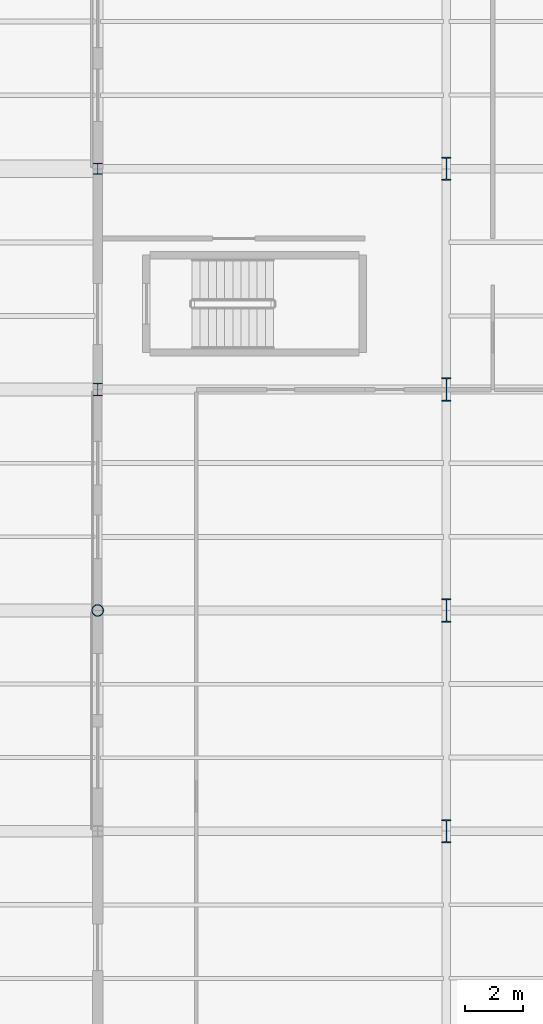
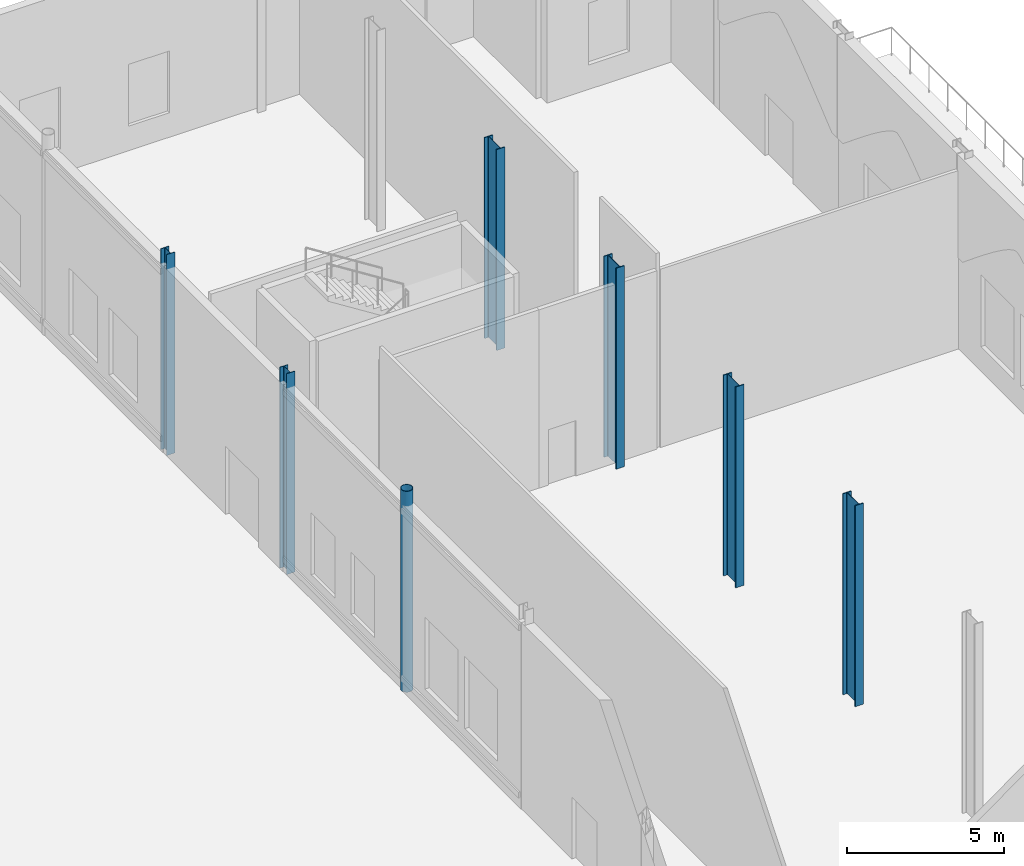
# One storey, part 21 of 176: 7 columns.
"""IFC4 building model written with IfcOpenShell, lengths in metres."""

import ifcopenshell
import ifcopenshell.guid

model = None  # the IFC model being written
_history = None  # IfcOwnerHistory: only IFC2X3 demands one
_inside = {}  # id of a spatial element -> (the spatial element, [elements in it])
_under = {}  # id of a project, library or spatial element -> (it, [spatial elements below it])
_declared = {}  # id of a project -> (the project, [libraries it declares])
_typed = {}  # id of a type object -> (the type object, [elements of that type])
_made_of = {}  # id of a material, layer set ... -> (it, [elements and type objects made of it])


def new_model(schema):
    """Start an empty IFC model of exactly this schema.

    Asked for "IFC4X3", IfcOpenShell would pick the latest addendum, in which some entities
    have other attributes; the version numbers below select the first issue.
    IFC2X3 requires an IfcOwnerHistory on every rooted entity: one is made here for all.
    """
    global model, _history
    if schema == "IFC4X3":
        model = ifcopenshell.file(schema_version=(4, 3, 0, 0))
    else:
        model = ifcopenshell.file(schema=schema)
    _inside.clear()
    _under.clear()
    _declared.clear()
    _typed.clear()
    _made_of.clear()
    _history = None
    if model.schema == "IFC2X3":
        org = make("IfcOrganization", Name="unknown")
        user = make(
            "IfcPersonAndOrganization",
            ThePerson=make("IfcPerson", FamilyName="unknown"),
            TheOrganization=org,
        )
        app = make(
            "IfcApplication",
            ApplicationDeveloper=org,
            Version="unknown",
            ApplicationFullName="unknown",
            ApplicationIdentifier="unknown",
        )
        _history = make(
            "IfcOwnerHistory",
            OwningUser=user,
            OwningApplication=app,
            ChangeAction="ADDED",
            CreationDate=0,
        )
    return model


def make(cls, **values):
    """One entity of the class cls with the attributes given. An attribute that is None is left unset."""
    return model.create_entity(
        cls, **{name: value for name, value in values.items() if value is not None}
    )


def rooted(cls, **values):
    """An entity with a GlobalId (a new one), such as an element, a storey or a relation."""
    return make(cls, GlobalId=ifcopenshell.guid.new(), OwnerHistory=_history, **values)


def si_unit(unit_type, name, prefix=None):
    """IfcSIUnit, for example si_unit("LENGTHUNIT", "METRE", prefix="MILLI")."""
    return make("IfcSIUnit", UnitType=unit_type, Prefix=prefix, Name=name)


def assignment(units):
    """IfcUnitAssignment: the units of a project."""
    return None if units is None else make("IfcUnitAssignment", Units=units)


def point(xyz):
    """IfcCartesianPoint."""
    return None if xyz is None else make("IfcCartesianPoint", Coordinates=xyz)


def direction(xyz):
    """IfcDirection."""
    return None if xyz is None else make("IfcDirection", DirectionRatios=xyz)


def frame(location, z_axis=None, x_axis=None):
    """IfcAxis2Placement3D, a coordinate frame: its origin and axes. An axis left out is left unset."""
    return make(
        "IfcAxis2Placement3D",
        Location=point(location),
        Axis=direction(z_axis),
        RefDirection=direction(x_axis),
    )


def frame_2d(location, x_axis=None):
    """IfcAxis2Placement2D, a coordinate frame in the plane: its origin and x axis."""
    return make(
        "IfcAxis2Placement2D", Location=point(location), RefDirection=direction(x_axis)
    )


def origin():
    """The frame at (0, 0, 0) with its axes left unset."""
    return frame((0.0, 0.0, 0.0))


def origin_2d():
    """The frame at (0, 0) in the plane with its x axis left unset."""
    return frame_2d((0.0, 0.0))


def place(relative_to, where):
    """IfcLocalPlacement: puts the frame where relative to a parent placement (None: the world)."""
    return make(
        "IfcLocalPlacement", PlacementRelTo=relative_to, RelativePlacement=where
    )


def context(
    kind, dimensions, precision=None, world=None, true_north=None, identifier=None
):
    """IfcGeometricRepresentationContext, for example the 3D "Model" context."""
    return make(
        "IfcGeometricRepresentationContext",
        ContextIdentifier=identifier,
        ContextType=kind,
        CoordinateSpaceDimension=dimensions,
        Precision=precision,
        WorldCoordinateSystem=world,
        TrueNorth=true_north,
    )


def subcontext(parent, identifier, kind, view, scale=None):
    """IfcGeometricRepresentationSubContext, for example "Body" below "Model"."""
    return make(
        "IfcGeometricRepresentationSubContext",
        ContextIdentifier=identifier,
        ContextType=kind,
        ParentContext=parent,
        TargetScale=scale,
        TargetView=view,
    )


def project(units=None, contexts=None):
    """IfcProject with its units and contexts."""
    return rooted(
        "IfcProject",
        Name="project",
        RepresentationContexts=contexts,
        UnitsInContext=assignment(units),
    )


def spatial(cls, under=None, at=None, **own):
    """A site, building, storey or space (cls), placed at a placement, below another one or the project."""
    s = rooted(cls, ObjectPlacement=at, **own)
    if under is not None:
        _under.setdefault(under.id(), (under, []))[1].append(s)
    return s


def profile(cls, at=None, kind="AREA", **sizes):
    """A parametric profile (cls). Its sizes go by their IFC names, for example OverallWidth=200.0."""
    return make(cls, ProfileType=kind, Position=at, **sizes)


def hollow_circle(**sizes):
    """IfcCircleHollowProfileDef."""
    return profile("IfcCircleHollowProfileDef", **sizes)


def i_section(**sizes):
    """IfcIShapeProfileDef."""
    return profile("IfcIShapeProfileDef", **sizes)


def extrude(swept, where, along, depth):
    """IfcExtrudedAreaSolid: the profile swept, set in the frame where, extruded along a direction by depth."""
    return make(
        "IfcExtrudedAreaSolid",
        SweptArea=swept,
        Position=where,
        ExtrudedDirection=direction(along),
        Depth=depth,
    )


def shape(context_of_items, identifier, shape_type, items):
    """IfcShapeRepresentation: the items that make up one representation, for example the "Body"."""
    return make(
        "IfcShapeRepresentation",
        ContextOfItems=context_of_items,
        RepresentationIdentifier=identifier,
        RepresentationType=shape_type,
        Items=items,
    )


def material(Name=None, Category=None):
    """IfcMaterial."""
    return make("IfcMaterial", Name=Name, Category=Category)


def material_profile(
    of_material, cross_section, Name=None, Category=None, Priority=None
):
    """IfcMaterialProfile: a cross section and its material."""
    return make(
        "IfcMaterialProfile",
        Name=Name,
        Material=of_material,
        Profile=cross_section,
        Priority=Priority,
        Category=Category,
    )


def profile_set(profiles, Name=None, composite=None):
    """IfcMaterialProfileSet."""
    return make(
        "IfcMaterialProfileSet",
        Name=Name,
        MaterialProfiles=profiles,
        CompositeProfile=composite,
    )


def made_of(thing, what):
    """Note that an element or type object is made of a material, layer set ...; save() writes the relation."""
    if what is not None:
        _made_of.setdefault(what.id(), (what, []))[1].append(thing)
    return thing


def type_object(cls, material=None, **own):
    """A type object (cls), such as IfcWallType, which elements share."""
    return made_of(rooted(cls, **own), material)


def element(
    cls,
    number,
    at=None,
    inside=None,
    cuts=None,
    type_object=None,
    material=None,
    context=None,
    identifier="Body",
    shape_type=None,
    held_by="IfcProductDefinitionShape",
    body=None,
    shapes=None,
    **own,
):
    """One element of the class cls, such as IfcWall. Its Tag is "e" and its number.

    at: its placement. inside: the storey or other place that contains it. cuts: it is an
    opening in that element (IfcRelVoidsElement). A single representation is given by context,
    identifier, shape_type and body (its items); several are given by shapes. held_by: the class
    of the entity that holds the representations. save() writes the other relations.
    """
    e = rooted(cls, Tag="e%d" % number, ObjectPlacement=at, **own)
    if body is not None:
        shapes = [shape(context, identifier, shape_type, body)]
    if shapes is not None:
        e.Representation = make(held_by, Representations=shapes)
    if inside is not None:
        _inside.setdefault(inside.id(), (inside, []))[1].append(e)
    if cuts is not None:
        rooted(
            "IfcRelVoidsElement", RelatingBuildingElement=cuts, RelatedOpeningElement=e
        )
    if type_object is not None:
        _typed.setdefault(type_object.id(), (type_object, []))[1].append(e)
    return made_of(e, material)


def aggregate(whole, parts):
    """IfcRelAggregates: a whole, such as a stair, and the parts it consists of."""
    return rooted("IfcRelAggregates", RelatingObject=whole, RelatedObjects=parts)


def save(model, path):
    """Write the relations noted so far, then the file.

    IfcRelAggregates (storeys below a building ...), IfcRelContainedInSpatialStructure (elements
    in a storey), IfcRelDefinesByType, IfcRelAssociatesMaterial and IfcRelDeclares: one each for
    every whole, place, type object, material and project.
    """
    for whole, parts in _under.values():
        aggregate(whole, parts)
    for where, things in _inside.values():
        rooted(
            "IfcRelContainedInSpatialStructure",
            RelatedElements=things,
            RelatingStructure=where,
        )
    for kind, things in _typed.values():
        rooted("IfcRelDefinesByType", RelatedObjects=things, RelatingType=kind)
    for what, things in _made_of.values():
        rooted("IfcRelAssociatesMaterial", RelatedObjects=things, RelatingMaterial=what)
    for by, libraries in _declared.values():
        rooted("IfcRelDeclares", RelatingContext=by, RelatedDefinitions=libraries)
    model.write(path)


model = new_model("IFC4")

# Units and contexts
model_context = context("Model", 3, precision=1e-05, world=origin(), true_north=direction((0.0, 1.0)))
body_context = subcontext(model_context, "Body", "Model", "MODEL_VIEW")
ifc_project = project(units=[si_unit("LENGTHUNIT", "METRE"), si_unit("AREAUNIT", "SQUARE_METRE"), si_unit("VOLUMEUNIT", "CUBIC_METRE"), si_unit("PLANEANGLEUNIT", "RADIAN"), si_unit("MASSUNIT", "GRAM", prefix="KILO")], contexts=[model_context])

# Site, building, storey
site_placement = place(None, origin())
site = spatial("IfcSite", under=ifc_project, at=site_placement, CompositionType="ELEMENT")
building_placement = place(site_placement, origin())
building = spatial("IfcBuilding", under=site, at=building_placement, Name="Vekula Escarpment Museum", CompositionType="ELEMENT")
storey_placement = place(building_placement, origin())
storey = spatial("IfcBuildingStorey", under=building, at=storey_placement, Name="L01", CompositionType="ELEMENT", Elevation=0.0)

# Columns
ifc_material_1 = material(Name="Steel S355", Category="steel")
ifc_material_profile_1 = material_profile(ifc_material_1, hollow_circle(Radius=0.203125, WallThickness=0.02001953125, at=origin_2d()), Name="CHS 406.4x20")
ifc_profile_set_1 = profile_set([ifc_material_profile_1], Name="Steel S355")
column_type_1 = type_object("IfcColumnType", Name="COL-S-CHS406", PredefinedType="COLUMN", material=ifc_profile_set_1)
column_1_placement = place(storey_placement, frame((167.0, 105.60009765625, 0.0), z_axis=(0.0, 0.0, 1.0), x_axis=(1.0, 0.0, 0.0)))
element("IfcColumn", 1, at=column_1_placement, inside=storey, type_object=column_type_1, Name="Column L01 (167.0,105.6)", PredefinedType="COLUMN", context=body_context, shape_type="SweptSolid", body=[
    extrude(hollow_circle(Radius=0.203125, WallThickness=0.02001953125, at=origin_2d()), origin(), (0.0, 0.0, 1.0), 7.800048828125),
])
ifc_material_2 = material(Name="Steel S355", Category="steel")
ifc_material_profile_2 = material_profile(ifc_material_2, i_section(OverallWidth=0.300048828125, OverallDepth=0.389892578125, WebThickness=0.010986328125, FlangeThickness=0.01904296875, FilletRadius=0.027099609375, at=origin_2d()), Name="HEA 400")
ifc_profile_set_2 = profile_set([ifc_material_profile_2], Name="Steel S355")
column_type_2 = type_object("IfcColumnType", Name="COL-S-HEA400", PredefinedType="COLUMN", material=ifc_profile_set_2)
column_2_placement = place(storey_placement, frame((167.0, 120.800048828125, 0.0), z_axis=(0.0, 0.0, 1.0), x_axis=(1.0, 0.0, 0.0)))
element("IfcColumn", 2, at=column_2_placement, inside=storey, type_object=column_type_2, Name="Column L01 (167.0,120.8)", PredefinedType="COLUMN", context=body_context, shape_type="SweptSolid", body=[
    extrude(i_section(OverallWidth=0.300048828125, OverallDepth=0.389892578125, WebThickness=0.010986328125, FlangeThickness=0.01904296875, FilletRadius=0.027099609375, at=origin_2d()), origin(), (0.0, 0.0, 1.0), 7.800048828125),
])
ifc_material_3 = material(Name="Steel S355", Category="steel")
ifc_material_profile_3 = material_profile(ifc_material_3, i_section(OverallWidth=0.300048828125, OverallDepth=0.43994140625, WebThickness=0.011474609375, FlangeThickness=0.02099609375, FilletRadius=0.027099609375, at=origin_2d()), Name="HEA 450")
ifc_profile_set_3 = profile_set([ifc_material_profile_3], Name="Steel S355")
column_type_3 = type_object("IfcColumnType", Name="COL-S-HEA450", PredefinedType="COLUMN", material=ifc_profile_set_3)
column_3_placement = place(storey_placement, frame((167.0, 113.199951171875, 0.0), z_axis=(0.0, 0.0, 1.0), x_axis=(1.0, 0.0, 0.0)))
element("IfcColumn", 3, at=column_3_placement, inside=storey, type_object=column_type_3, Name="Column L01 (167.0,113.2)", PredefinedType="COLUMN", context=body_context, shape_type="SweptSolid", body=[
    extrude(i_section(OverallWidth=0.300048828125, OverallDepth=0.43994140625, WebThickness=0.011474609375, FlangeThickness=0.02099609375, FilletRadius=0.027099609375, at=origin_2d()), origin(), (0.0, 0.0, 1.0), 7.800048828125),
])
ifc_material_4 = material(Name="Steel S355", Category="steel")
ifc_material_profile_4 = material_profile(ifc_material_4, i_section(OverallWidth=0.300048828125, OverallDepth=0.800048828125, WebThickness=0.017578125, FlangeThickness=0.032958984375, FilletRadius=0.030029296875, at=origin_2d()), Name="HEB 800")
ifc_profile_set_4 = profile_set([ifc_material_profile_4], Name="Steel S355")
column_type_4 = type_object("IfcColumnType", Name="COL-S-HEB800", PredefinedType="COLUMN", material=ifc_profile_set_4)
for number, where, z_axis, x_axis, name in (
    (4, (179.0, 98.0, 0.0), (0.0, 0.0, 1.0), (1.0, 0.0, 0.0), "Column L01 (179.0,98.0)"),
    (5, (179.0, 105.60009765625, 0.0), (0.0, 0.0, 1.0), (1.0, 0.0, 0.0), "Column L01 (179.0,105.6)"),
    (6, (179.0, 113.199951171875, 0.0), (0.0, 0.0, 1.0), (1.0, 0.0, 0.0), "Column L01 (179.0,113.2)"),
    (7, (179.0, 120.800048828125, 0.0), (0.0, 0.0, 1.0), (1.0, 0.0, 0.0), "Column L01 (179.0,120.8)"),
):
    element("IfcColumn", number, at=place(storey_placement, frame(where, z_axis=z_axis, x_axis=x_axis)), inside=storey, type_object=column_type_4, Name=name, PredefinedType="COLUMN", context=body_context, shape_type="SweptSolid", body=[
        extrude(i_section(OverallWidth=0.300048828125, OverallDepth=0.800048828125, WebThickness=0.017578125, FlangeThickness=0.032958984375, FilletRadius=0.030029296875, at=origin_2d()), origin(), (0.0, 0.0, 1.0), 7.800048828125),
    ])

save(model, "model.ifc")
